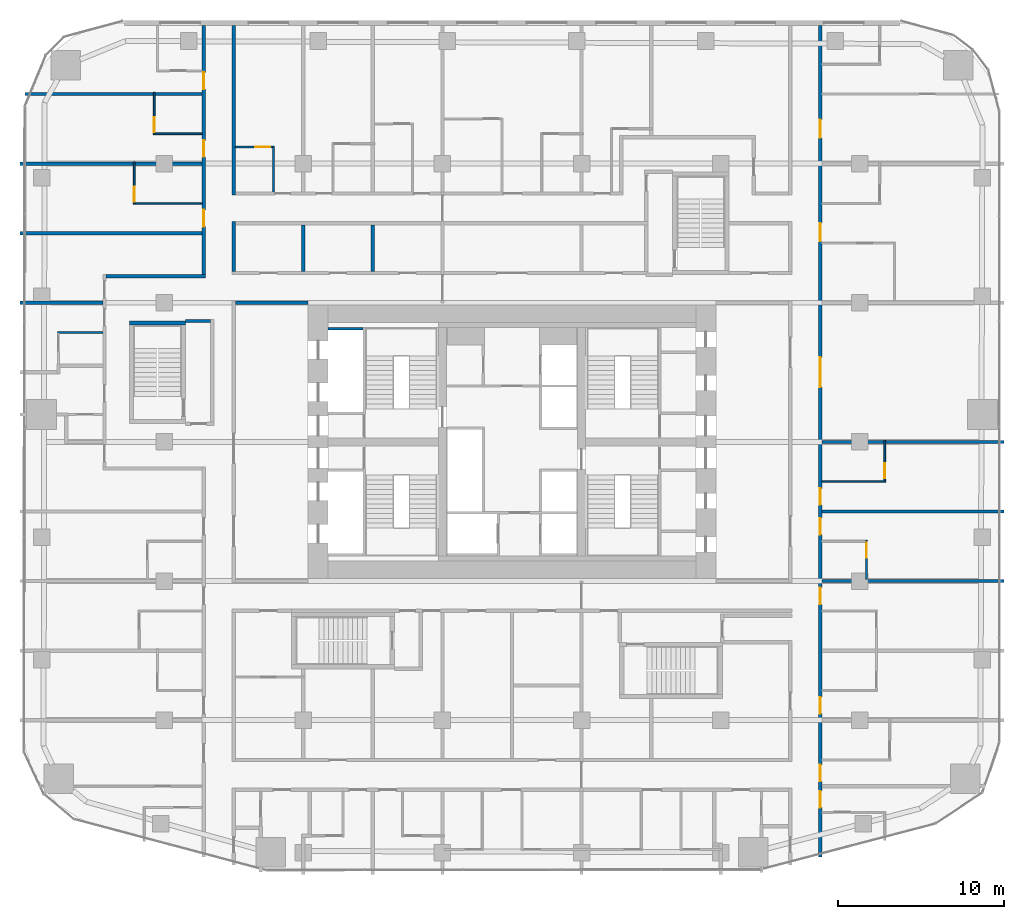
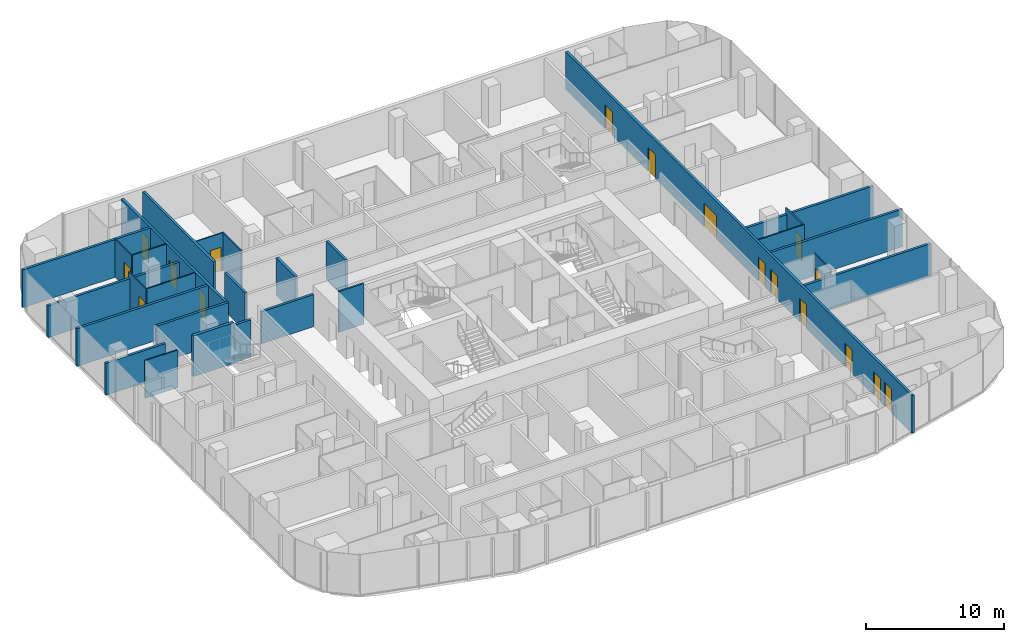
# One storey, part 21 of 26: 28 walls, 17 doors, 17 openings.
"""IFC4 building model written with IfcOpenShell, lengths in metres."""

from ifc_helpers import new_model, si_unit, direction, frame, frame_2d, origin, place, context, subcontext, project, spatial, rectangle, extrude, material, layer, layer_set, type_object, element, fill, save


model = new_model("IFC4")

# Units and contexts
model_context = context("Model", 3, precision=1e-05, world=origin(), true_north=direction((0.0, 1.0)))
body_context = subcontext(model_context, "Body", "Model", "MODEL_VIEW")
ifc_project = project(units=[si_unit("LENGTHUNIT", "METRE"), si_unit("AREAUNIT", "SQUARE_METRE"), si_unit("VOLUMEUNIT", "CUBIC_METRE"), si_unit("PLANEANGLEUNIT", "RADIAN"), si_unit("MASSUNIT", "GRAM", prefix="KILO")], contexts=[model_context])

# Site, building, storey
site_placement = place(None, origin())
site = spatial("IfcSite", under=ifc_project, at=site_placement, CompositionType="ELEMENT")
building_placement = place(site_placement, origin())
building = spatial("IfcBuilding", under=site, at=building_placement, Name="Marenta Gate Hotel Tower", CompositionType="ELEMENT")
storey_placement = place(building_placement, frame((0.0, 0.0, 58.10009765625)))
storey = spatial("IfcBuildingStorey", under=building, at=storey_placement, Name="L12", CompositionType="ELEMENT", Elevation=58.10009765625)

# Walls
ifc_material_1 = material(Name="Concrete blockwork", Category="masonry")
ifc_layer_1 = layer(ifc_material_1, 0.199951171875)
ifc_layer_set_1 = layer_set([ifc_layer_1], Name="Concrete blockwork")
wall_type_1 = type_object("IfcWallType", Name="Core boundary wall 200 REI 180", PredefinedType="PARTITIONING", material=ifc_layer_set_1)
wall_1_placement = place(storey_placement, frame((-16.699951171875, 16.800048828125, 0.0), z_axis=(0.0, 0.0, 1.0), x_axis=(1.0, 0.0, 0.0)))
element("IfcWall", 1, at=wall_1_placement, inside=storey, type_object=wall_type_1, Name="L12-CP-EW-WN", PredefinedType="PARTITIONING", context=body_context, shape_type="SweptSolid", body=[
    extrude(rectangle(XDim=4.39990234375, YDim=0.199951171875, at=frame_2d((2.199951171875, 0.0))), origin(), (0.0, 0.0, 1.0), 2.83984375),
])
ifc_material_2 = material(Name="Concrete C40", Category="concrete")
ifc_layer_2 = layer(ifc_material_2, 0.14990234375)
ifc_layer_set_2 = layer_set([ifc_layer_2], Name="Concrete C40")
wall_type_2 = type_object("IfcWallType", Name="Core shaft wall 150 REI 180", PredefinedType="SHEAR", material=ifc_layer_set_2)
wall_2_placement = place(storey_placement, frame((-11.10009765625, 15.22509765625, 0.0), z_axis=(0.0, 0.0, 1.0), x_axis=(1.0, 0.0, 0.0)))
element("IfcWall", 2, at=wall_2_placement, inside=storey, type_object=wall_type_2, Name="L12-SHF-SW-WN-5", PredefinedType="SHEAR", context=body_context, shape_type="SweptSolid", body=[
    extrude(rectangle(XDim=2.10009765625, YDim=0.14990234375, at=frame_2d((1.050048828125, 0.0))), origin(), (0.0, 0.0, 1.0), 3.599853515625),
])
ifc_material_3 = material(Name="Concrete C40", Category="concrete")
ifc_layer_3 = layer(ifc_material_3, 0.25)
ifc_layer_set_3 = layer_set([ifc_layer_3], Name="Concrete C40")
wall_type_3 = type_object("IfcWallType", Name="Remote stair enclosure wall 250 REI 180", PredefinedType="SHEAR", material=ifc_layer_set_3)
wall_3_placement = place(storey_placement, frame((-23.10009765625, 15.574951171875, 0.099853515625), z_axis=(0.0, 0.0, 1.0), x_axis=(1.0, 0.0, 0.0)))
element("IfcWall", 3, at=wall_3_placement, inside=storey, type_object=wall_type_3, Name="L12-RS-Z1-3-W2", PredefinedType="SHEAR", context=body_context, shape_type="SweptSolid", body=[
    extrude(rectangle(XDim=3.400146484375, YDim=0.25, at=frame_2d((1.7001953125, 0.0))), origin(), (0.0, 0.0, 1.0), 3.60009765625),
])
ifc_material_4 = material(Name="Concrete blockwork", Category="masonry")
ifc_layer_4 = layer(ifc_material_4, 0.199951171875)
ifc_layer_set_4 = layer_set([ifc_layer_4], Name="Concrete blockwork")
wall_type_4 = type_object("IfcWallType", Name="Room corridor wall 200 EI 120", PredefinedType="PARTITIONING", material=ifc_layer_set_4)
wall_4_placement = place(storey_placement, frame((-16.800048828125, 18.699951171875, 0.0), z_axis=(0.0, 0.0, 1.0), x_axis=(0.0, 1.0, 0.0)))
element("IfcWall", 4, at=wall_4_placement, inside=storey, type_object=wall_type_4, Name="L12-PTN-W111", PredefinedType="PARTITIONING", context=body_context, shape_type="SweptSolid", body=[
    extrude(rectangle(XDim=3.0, YDim=0.199951171875, at=frame_2d((1.5, 0.0))), origin(), (0.0, 0.0, 1.0), 3.33984375),
])

# Wall, openings, doors
ifc_material_5 = material(Name="Gypsum board on steel stud", Category="steel")
ifc_layer_5 = layer(ifc_material_5, 0.199951171875)
ifc_layer_set_5 = layer_set([ifc_layer_5], Name="Gypsum board on steel stud")
wall_type_5 = type_object("IfcWallType", Name="Room corridor wall 200 EI 60", PredefinedType="PARTITIONING", material=ifc_layer_set_5)
wall_5_placement = place(storey_placement, frame((18.60009765625, -16.6650390625, 0.0), z_axis=(0.0, 0.0, 1.0), x_axis=(0.0, 1.0, 0.0)))
wall_5 = element("IfcWall", 5, at=wall_5_placement, inside=storey, type_object=wall_type_5, Name="L12-PTN-W009", PredefinedType="PARTITIONING", context=body_context, shape_type="SweptSolid", body=[
    extrude(rectangle(XDim=50.205078125, YDim=0.199951171875, at=frame_2d((25.1025390625, 0.0))), origin(), (0.0, 0.0, 1.0), 3.33984375),
])
opening_1_placement = place(wall_5_placement, frame((2.990966796875, 0.0, 0.0)))
opening_1 = element("IfcOpeningElement", 6, at=opening_1_placement, cuts=wall_5, Name="Opening G04-10", PredefinedType="OPENING", context=body_context, shape_type="SweptSolid", body=[
    extrude(rectangle(XDim=1.0, YDim=2.10009765625, at=frame_2d((0.5, 1.050048828125))), frame((0.0, 0.10009765625, 0.0), z_axis=(0.0, -1.0, 0.0), x_axis=(1.0, 0.0, 0.0)), (0.0, 0.0, 1.0), 0.199951171875),
])
opening_2_placement = place(wall_5_placement, frame((4.573974609375, 0.0, 0.0)))
opening_2 = element("IfcOpeningElement", 7, at=opening_2_placement, cuts=wall_5, Name="Opening G04-12", PredefinedType="OPENING", context=body_context, shape_type="SweptSolid", body=[
    extrude(rectangle(XDim=1.0, YDim=2.10009765625, at=frame_2d((0.5, 1.050048828125))), frame((0.0, 0.10009765625, 0.0), z_axis=(0.0, -1.0, 0.0), x_axis=(1.0, 0.0, 0.0)), (0.0, 0.0, 1.0), 0.199951171875),
])
opening_3_placement = place(wall_5_placement, frame((8.6650390625, 0.0, 0.0)))
opening_3 = element("IfcOpeningElement", 8, at=opening_3_placement, cuts=wall_5, Name="Opening G04-14", PredefinedType="OPENING", context=body_context, shape_type="SweptSolid", body=[
    extrude(rectangle(XDim=1.0, YDim=2.10009765625, at=frame_2d((0.5, 1.050048828125))), frame((0.0, 0.10009765625, 0.0), z_axis=(0.0, -1.0, 0.0), x_axis=(1.0, 0.0, 0.0)), (0.0, 0.0, 1.0), 0.199951171875),
])
opening_4_placement = place(wall_5_placement, frame((15.264892578125, 0.0, 0.0)))
opening_4 = element("IfcOpeningElement", 9, at=opening_4_placement, cuts=wall_5, Name="Opening G04-16", PredefinedType="OPENING", context=body_context, shape_type="SweptSolid", body=[
    extrude(rectangle(XDim=1.0, YDim=2.10009765625, at=frame_2d((0.5, 1.050048828125))), frame((0.0, 0.10009765625, 0.0), z_axis=(0.0, -1.0, 0.0), x_axis=(1.0, 0.0, 0.0)), (0.0, 0.0, 1.0), 0.199951171875),
])
opening_5_placement = place(wall_5_placement, frame((19.465087890625, 0.0, 0.0)))
opening_5 = element("IfcOpeningElement", 10, at=opening_5_placement, cuts=wall_5, Name="Opening G04-18", PredefinedType="OPENING", context=body_context, shape_type="SweptSolid", body=[
    extrude(rectangle(XDim=1.0, YDim=2.10009765625, at=frame_2d((0.5, 1.050048828125))), frame((0.0, 0.10009765625, 0.0), z_axis=(0.0, -1.0, 0.0), x_axis=(1.0, 0.0, 0.0)), (0.0, 0.0, 1.0), 0.199951171875),
])
opening_6_placement = place(wall_5_placement, frame((21.264892578125, 0.0, 0.0)))
opening_6 = element("IfcOpeningElement", 11, at=opening_6_placement, cuts=wall_5, Name="Opening G04-20", PredefinedType="OPENING", context=body_context, shape_type="SweptSolid", body=[
    extrude(rectangle(XDim=1.0, YDim=2.10009765625, at=frame_2d((0.5, 1.050048828125))), frame((0.0, 0.10009765625, 0.0), z_axis=(0.0, -1.0, 0.0), x_axis=(1.0, 0.0, 0.0)), (0.0, 0.0, 1.0), 0.199951171875),
])
opening_7_placement = place(wall_5_placement, frame((28.364990234375, 0.0, 0.0)))
opening_7 = element("IfcOpeningElement", 12, at=opening_7_placement, cuts=wall_5, Name="Opening G04-22", PredefinedType="OPENING", context=body_context, shape_type="SweptSolid", body=[
    extrude(rectangle(XDim=1.800048828125, YDim=2.10009765625, at=frame_2d((0.89990234375, 1.050048828125))), frame((0.0, 0.10009765625, 0.0), z_axis=(0.0, -1.0, 0.0), x_axis=(1.0, 0.0, 0.0)), (0.0, 0.0, 1.0), 0.199951171875),
])
opening_8_placement = place(wall_5_placement, frame((37.1650390625, 0.0, 0.0)))
opening_8 = element("IfcOpeningElement", 13, at=opening_8_placement, cuts=wall_5, Name="Opening G04-23", PredefinedType="OPENING", context=body_context, shape_type="SweptSolid", body=[
    extrude(rectangle(XDim=1.10009765625, YDim=2.10009765625, at=frame_2d((0.550048828125, 1.050048828125))), frame((0.0, 0.10009765625, 0.0), z_axis=(0.0, -1.0, 0.0), x_axis=(1.0, 0.0, 0.0)), (0.0, 0.0, 1.0), 0.199951171875),
])
opening_9_placement = place(wall_5_placement, frame((43.4150390625, 0.0, 0.0)))
opening_9 = element("IfcOpeningElement", 14, at=opening_9_placement, cuts=wall_5, Name="Opening G04-26", PredefinedType="OPENING", context=body_context, shape_type="SweptSolid", body=[
    extrude(rectangle(XDim=1.10009765625, YDim=2.10009765625, at=frame_2d((0.550048828125, 1.050048828125))), frame((0.0, 0.10009765625, 0.0), z_axis=(0.0, -1.0, 0.0), x_axis=(1.0, 0.0, 0.0)), (0.0, 0.0, 1.0), 0.199951171875),
])
ifc_material_6 = material(Name="Timber door leaf", Category="wood")
door_type_1 = type_object("IfcDoorType", Name="Guest room door 1000x2100 EI 30", OperationType="NOTDEFINED", PredefinedType="DOOR", material=ifc_material_6)
door_1_placement = place(opening_1_placement, origin())
door_1 = element("IfcDoor", 15, at=door_1_placement, inside=storey, type_object=door_type_1, Name="L12-PD-D010", OperationType="SINGLE_SWING_RIGHT", OverallHeight=2.10009765625, OverallWidth=1.0, PredefinedType="DOOR", context=body_context, shape_type="SweptSolid", body=[
    extrude(rectangle(XDim=1.0, YDim=2.10009765625, at=frame_2d((0.5, 1.050048828125))), frame((0.0, 0.02490234375, 0.0), z_axis=(0.0, -1.0, 0.0), x_axis=(1.0, 0.0, 0.0)), (0.0, 0.0, 1.0), 0.050048828125),
])
fill(opening_1, door_1)
door_2_placement = place(opening_2_placement, origin())
door_2 = element("IfcDoor", 16, at=door_2_placement, inside=storey, type_object=door_type_1, Name="L12-PD-D012", OperationType="SINGLE_SWING_RIGHT", OverallHeight=2.10009765625, OverallWidth=1.0, PredefinedType="DOOR", context=body_context, shape_type="SweptSolid", body=[
    extrude(rectangle(XDim=1.0, YDim=2.10009765625, at=frame_2d((0.5, 1.050048828125))), frame((0.0, 0.02490234375, 0.0), z_axis=(0.0, -1.0, 0.0), x_axis=(1.0, 0.0, 0.0)), (0.0, 0.0, 1.0), 0.050048828125),
])
fill(opening_2, door_2)
door_3_placement = place(opening_3_placement, origin())
door_3 = element("IfcDoor", 17, at=door_3_placement, inside=storey, type_object=door_type_1, Name="L12-PD-D014", OperationType="SINGLE_SWING_RIGHT", OverallHeight=2.10009765625, OverallWidth=1.0, PredefinedType="DOOR", context=body_context, shape_type="SweptSolid", body=[
    extrude(rectangle(XDim=1.0, YDim=2.10009765625, at=frame_2d((0.5, 1.050048828125))), frame((0.0, 0.02490234375, 0.0), z_axis=(0.0, -1.0, 0.0), x_axis=(1.0, 0.0, 0.0)), (0.0, 0.0, 1.0), 0.050048828125),
])
fill(opening_3, door_3)
door_4_placement = place(opening_4_placement, origin())
door_4 = element("IfcDoor", 18, at=door_4_placement, inside=storey, type_object=door_type_1, Name="L12-PD-D016", OperationType="SINGLE_SWING_RIGHT", OverallHeight=2.10009765625, OverallWidth=1.0, PredefinedType="DOOR", context=body_context, shape_type="SweptSolid", body=[
    extrude(rectangle(XDim=1.0, YDim=2.10009765625, at=frame_2d((0.5, 1.050048828125))), frame((0.0, 0.02490234375, 0.0), z_axis=(0.0, -1.0, 0.0), x_axis=(1.0, 0.0, 0.0)), (0.0, 0.0, 1.0), 0.050048828125),
])
fill(opening_4, door_4)
door_5_placement = place(opening_5_placement, origin())
door_5 = element("IfcDoor", 19, at=door_5_placement, inside=storey, type_object=door_type_1, Name="L12-PD-D018", OperationType="SINGLE_SWING_RIGHT", OverallHeight=2.10009765625, OverallWidth=1.0, PredefinedType="DOOR", context=body_context, shape_type="SweptSolid", body=[
    extrude(rectangle(XDim=1.0, YDim=2.10009765625, at=frame_2d((0.5, 1.050048828125))), frame((0.0, 0.02490234375, 0.0), z_axis=(0.0, -1.0, 0.0), x_axis=(1.0, 0.0, 0.0)), (0.0, 0.0, 1.0), 0.050048828125),
])
fill(opening_5, door_5)
door_6_placement = place(opening_6_placement, origin())
door_6 = element("IfcDoor", 20, at=door_6_placement, inside=storey, type_object=door_type_1, Name="L12-PD-D020", OperationType="SINGLE_SWING_RIGHT", OverallHeight=2.10009765625, OverallWidth=1.0, PredefinedType="DOOR", context=body_context, shape_type="SweptSolid", body=[
    extrude(rectangle(XDim=1.0, YDim=2.10009765625, at=frame_2d((0.5, 1.050048828125))), frame((0.0, 0.02490234375, 0.0), z_axis=(0.0, -1.0, 0.0), x_axis=(1.0, 0.0, 0.0)), (0.0, 0.0, 1.0), 0.050048828125),
])
fill(opening_6, door_6)
ifc_material_7 = material(Name="Timber door leaf", Category="wood")
door_type_2 = type_object("IfcDoorType", Name="Guest room door 1100x2100 EI 30", OperationType="NOTDEFINED", PredefinedType="DOOR", material=ifc_material_7)
door_7_placement = place(opening_8_placement, origin())
door_7 = element("IfcDoor", 21, at=door_7_placement, inside=storey, type_object=door_type_2, Name="L12-PD-D023", OperationType="SINGLE_SWING_RIGHT", OverallHeight=2.10009765625, OverallWidth=1.10009765625, PredefinedType="DOOR", context=body_context, shape_type="SweptSolid", body=[
    extrude(rectangle(XDim=1.10009765625, YDim=2.10009765625, at=frame_2d((0.550048828125, 1.050048828125))), frame((0.0, 0.02490234375, 0.0), z_axis=(0.0, -1.0, 0.0), x_axis=(1.0, 0.0, 0.0)), (0.0, 0.0, 1.0), 0.050048828125),
])
fill(opening_8, door_7)
door_8_placement = place(opening_9_placement, origin())
door_8 = element("IfcDoor", 22, at=door_8_placement, inside=storey, type_object=door_type_2, Name="L12-PD-D026", OperationType="SINGLE_SWING_RIGHT", OverallHeight=2.10009765625, OverallWidth=1.10009765625, PredefinedType="DOOR", context=body_context, shape_type="SweptSolid", body=[
    extrude(rectangle(XDim=1.10009765625, YDim=2.10009765625, at=frame_2d((0.550048828125, 1.050048828125))), frame((0.0, 0.02490234375, 0.0), z_axis=(0.0, -1.0, 0.0), x_axis=(1.0, 0.0, 0.0)), (0.0, 0.0, 1.0), 0.050048828125),
])
fill(opening_9, door_8)
ifc_material_8 = material(Name="Timber door leaf", Category="wood")
door_type_3 = type_object("IfcDoorType", Name="Room amenity door 1800x2100 EI 30", OperationType="DOUBLE_DOOR_SINGLE_SWING", PredefinedType="DOOR", material=ifc_material_8)
door_9_placement = place(opening_7_placement, origin())
door_9 = element("IfcDoor", 23, at=door_9_placement, inside=storey, type_object=door_type_3, Name="L12-PD-D022", OperationType="DOUBLE_DOOR_SINGLE_SWING", OverallHeight=2.10009765625, OverallWidth=1.800048828125, PredefinedType="DOOR", context=body_context, shape_type="SweptSolid", body=[
    extrude(rectangle(XDim=1.800048828125, YDim=2.10009765625, at=frame_2d((0.89990234375, 1.050048828125))), frame((0.0, 0.02490234375, 0.0), z_axis=(0.0, -1.0, 0.0), x_axis=(1.0, 0.0, 0.0)), (0.0, 0.0, 1.0), 0.050048828125),
])
fill(opening_7, door_9)

# Walls
wall_6_placement = place(storey_placement, frame((-16.800048828125, 23.300048828125, 0.0), z_axis=(0.0, 0.0, 1.0), x_axis=(0.0, 1.0, 0.0)))
element("IfcWall", 24, at=wall_6_placement, inside=storey, type_object=wall_type_5, Name="L12-PTN-W112", PredefinedType="PARTITIONING", context=body_context, shape_type="SweptSolid", body=[
    extrude(rectangle(XDim=10.239990234375, YDim=0.199951171875, at=frame_2d((5.1201171875, 0.0))), origin(), (0.0, 0.0, 1.0), 3.33984375),
])
wall_7_placement = place(storey_placement, frame((-24.5, 18.39990234375, 0.0), z_axis=(0.0, 0.0, 1.0), x_axis=(1.0, 0.0, 0.0)))
element("IfcWall", 25, at=wall_7_placement, inside=storey, type_object=wall_type_5, Name="L12-PTN-W116", PredefinedType="PARTITIONING", context=body_context, shape_type="SweptSolid", body=[
    extrude(rectangle(XDim=6.0, YDim=0.199951171875, at=frame_2d((3.0, 0.0))), origin(), (0.0, 0.0, 1.0), 3.33984375),
])

# Wall, openings, doors
wall_8_placement = place(storey_placement, frame((-18.60009765625, 18.5, 0.0), z_axis=(0.0, 0.0, 1.0), x_axis=(0.0, 1.0, 0.0)))
wall_8 = element("IfcWall", 26, at=wall_8_placement, inside=storey, type_object=wall_type_5, Name="L12-PTN-W119", PredefinedType="PARTITIONING", context=body_context, shape_type="SweptSolid", body=[
    extrude(rectangle(XDim=15.0400390625, YDim=0.199951171875, at=frame_2d((7.52001953125, 0.0))), origin(), (0.0, 0.0, 1.0), 3.33984375),
])
opening_10_placement = place(wall_8_placement, frame((2.89990234375, 0.0, 0.0)))
opening_10 = element("IfcOpeningElement", 27, at=opening_10_placement, cuts=wall_8, Name="Opening G04-61", PredefinedType="OPENING", context=body_context, shape_type="SweptSolid", body=[
    extrude(rectangle(XDim=1.0, YDim=2.10009765625, at=frame_2d((0.5, 1.050048828125))), frame((0.0, 0.10009765625, 0.0), z_axis=(0.0, -1.0, 0.0), x_axis=(1.0, 0.0, 0.0)), (0.0, 0.0, 1.0), 0.199951171875),
])
opening_11_placement = place(wall_8_placement, frame((7.10009765625, 0.0, 0.0)))
opening_11 = element("IfcOpeningElement", 28, at=opening_11_placement, cuts=wall_8, Name="Opening G04-63", PredefinedType="OPENING", context=body_context, shape_type="SweptSolid", body=[
    extrude(rectangle(XDim=1.0, YDim=2.10009765625, at=frame_2d((0.5, 1.050048828125))), frame((0.0, 0.10009765625, 0.0), z_axis=(0.0, -1.0, 0.0), x_axis=(1.0, 0.0, 0.0)), (0.0, 0.0, 1.0), 0.199951171875),
])
opening_12_placement = place(wall_8_placement, frame((11.199951171875, 0.0, 0.0)))
opening_12 = element("IfcOpeningElement", 29, at=opening_12_placement, cuts=wall_8, Name="Opening G04-65", PredefinedType="OPENING", context=body_context, shape_type="SweptSolid", body=[
    extrude(rectangle(XDim=1.0, YDim=2.10009765625, at=frame_2d((0.5, 1.050048828125))), frame((0.0, 0.10009765625, 0.0), z_axis=(0.0, -1.0, 0.0), x_axis=(1.0, 0.0, 0.0)), (0.0, 0.0, 1.0), 0.199951171875),
])
door_10_placement = place(opening_10_placement, origin())
door_10 = element("IfcDoor", 30, at=door_10_placement, inside=storey, type_object=door_type_1, Name="L12-PD-D061", OperationType="SINGLE_SWING_RIGHT", OverallHeight=2.10009765625, OverallWidth=1.0, PredefinedType="DOOR", context=body_context, shape_type="SweptSolid", body=[
    extrude(rectangle(XDim=1.0, YDim=2.10009765625, at=frame_2d((0.5, 1.050048828125))), frame((0.0, 0.02490234375, 0.0), z_axis=(0.0, -1.0, 0.0), x_axis=(1.0, 0.0, 0.0)), (0.0, 0.0, 1.0), 0.050048828125),
])
fill(opening_10, door_10)
door_11_placement = place(opening_11_placement, origin())
door_11 = element("IfcDoor", 31, at=door_11_placement, inside=storey, type_object=door_type_1, Name="L12-PD-D063", OperationType="SINGLE_SWING_RIGHT", OverallHeight=2.10009765625, OverallWidth=1.0, PredefinedType="DOOR", context=body_context, shape_type="SweptSolid", body=[
    extrude(rectangle(XDim=1.0, YDim=2.10009765625, at=frame_2d((0.5, 1.050048828125))), frame((0.0, 0.02490234375, 0.0), z_axis=(0.0, -1.0, 0.0), x_axis=(1.0, 0.0, 0.0)), (0.0, 0.0, 1.0), 0.050048828125),
])
fill(opening_11, door_11)
door_12_placement = place(opening_12_placement, origin())
door_12 = element("IfcDoor", 32, at=door_12_placement, inside=storey, type_object=door_type_1, Name="L12-PD-D065", OperationType="SINGLE_SWING_RIGHT", OverallHeight=2.10009765625, OverallWidth=1.0, PredefinedType="DOOR", context=body_context, shape_type="SweptSolid", body=[
    extrude(rectangle(XDim=1.0, YDim=2.10009765625, at=frame_2d((0.5, 1.050048828125))), frame((0.0, 0.02490234375, 0.0), z_axis=(0.0, -1.0, 0.0), x_axis=(1.0, 0.0, 0.0)), (0.0, 0.0, 1.0), 0.050048828125),
])
fill(opening_12, door_12)

# Wall
ifc_material_9 = material(Name="Concrete blockwork", Category="masonry")
ifc_layer_6 = layer(ifc_material_9, 0.199951171875)
ifc_layer_set_6 = layer_set([ifc_layer_6], Name="Concrete blockwork")
wall_type_6 = type_object("IfcWallType", Name="Room corridor wall 200 REI 180", PredefinedType="PARTITIONING", material=ifc_layer_set_6)
wall_9_placement = place(storey_placement, frame((-19.699951171875, 15.699951171875, 0.0), z_axis=(0.0, 0.0, 1.0), x_axis=(1.0, 0.0, 0.0)))
element("IfcWall", 33, at=wall_9_placement, inside=storey, type_object=wall_type_6, Name="L12-PTN-W108", PredefinedType="PARTITIONING", context=body_context, shape_type="SweptSolid", body=[
    extrude(rectangle(XDim=1.5, YDim=0.199951171875, at=frame_2d((0.75, 0.0))), origin(), (0.0, 0.0, 1.0), 3.33984375),
])

# Wall, opening, door
ifc_material_10 = material(Name="Gypsum board on steel stud", Category="steel")
ifc_layer_7 = layer(ifc_material_10, 0.10009765625)
ifc_layer_set_7 = layer_set([ifc_layer_7], Name="Gypsum board on steel stud")
wall_type_7 = type_object("IfcWallType", Name="Room partition 100", PredefinedType="PARTITIONING", material=ifc_layer_set_7)
wall_10_placement = place(storey_placement, frame((22.5, 6.050048828125, 0.0), z_axis=(0.0, 0.0, 1.0), x_axis=(0.0, 1.0, 0.0)))
wall_10 = element("IfcWall", 34, at=wall_10_placement, inside=storey, type_object=wall_type_7, Name="L12-PTN-W004", PredefinedType="PARTITIONING", context=body_context, shape_type="SweptSolid", body=[
    extrude(rectangle(XDim=2.449951171875, YDim=0.10009765625, at=frame_2d((1.22509765625, 0.0))), origin(), (0.0, 0.0, 1.0), 3.33984375),
])
opening_13_placement = place(wall_10_placement, frame((0.14990234375, 0.0, 0.0)))
opening_13 = element("IfcOpeningElement", 35, at=opening_13_placement, cuts=wall_10, Name="Opening G04-21", PredefinedType="OPENING", context=body_context, shape_type="SweptSolid", body=[
    extrude(rectangle(XDim=0.89990234375, YDim=2.10009765625, at=frame_2d((0.449951171875, 1.050048828125))), frame((0.0, 0.050048828125, 0.0), z_axis=(0.0, -1.0, 0.0), x_axis=(1.0, 0.0, 0.0)), (0.0, 0.0, 1.0), 0.10009765625),
])
ifc_material_11 = material(Name="Timber door leaf", Category="wood")
door_type_4 = type_object("IfcDoorType", Name="Guest bathroom door 900x2100", OperationType="NOTDEFINED", PredefinedType="DOOR", material=ifc_material_11)
door_13_placement = place(opening_13_placement, origin())
door_13 = element("IfcDoor", 36, at=door_13_placement, inside=storey, type_object=door_type_4, Name="L12-PD-D021", OperationType="SINGLE_SWING_LEFT", OverallHeight=2.10009765625, OverallWidth=0.89990234375, PredefinedType="DOOR", context=body_context, shape_type="SweptSolid", body=[
    extrude(rectangle(XDim=0.89990234375, YDim=2.10009765625, at=frame_2d((0.449951171875, 1.050048828125))), frame((0.0, 0.02490234375, 0.0), z_axis=(0.0, -1.0, 0.0), x_axis=(1.0, 0.0, 0.0)), (0.0, 0.0, 1.0), 0.050048828125),
])
fill(opening_13, door_13)

wall_11_placement = place(storey_placement, frame((21.39990234375, 0.10009765625, 0.0), z_axis=(0.0, 0.0, 1.0), x_axis=(0.0, 1.0, 0.0)))
wall_11 = element("IfcWall", 37, at=wall_11_placement, inside=storey, type_object=wall_type_7, Name="L12-PTN-W008", PredefinedType="PARTITIONING", context=body_context, shape_type="SweptSolid", body=[
    extrude(rectangle(XDim=2.349853515625, YDim=0.10009765625, at=frame_2d((1.1748046875, 0.0))), origin(), (0.0, 0.0, 1.0), 3.33984375),
])
opening_14_placement = place(wall_11_placement, frame((1.300048828125, 0.0, 0.0)))
opening_14 = element("IfcOpeningElement", 38, at=opening_14_placement, cuts=wall_11, Name="Opening G04-19", PredefinedType="OPENING", context=body_context, shape_type="SweptSolid", body=[
    extrude(rectangle(XDim=0.89990234375, YDim=2.10009765625, at=frame_2d((0.449951171875, 1.050048828125))), frame((0.0, 0.050048828125, 0.0), z_axis=(0.0, -1.0, 0.0), x_axis=(1.0, 0.0, 0.0)), (0.0, 0.0, 1.0), 0.10009765625),
])
door_14_placement = place(opening_14_placement, origin())
door_14 = element("IfcDoor", 39, at=door_14_placement, inside=storey, type_object=door_type_4, Name="L12-PD-D019", OperationType="SINGLE_SWING_RIGHT", OverallHeight=2.10009765625, OverallWidth=0.89990234375, PredefinedType="DOOR", context=body_context, shape_type="SweptSolid", body=[
    extrude(rectangle(XDim=0.89990234375, YDim=2.10009765625, at=frame_2d((0.449951171875, 1.050048828125))), frame((0.0, 0.02490234375, 0.0), z_axis=(0.0, -1.0, 0.0), x_axis=(1.0, 0.0, 0.0)), (0.0, 0.0, 1.0), 0.050048828125),
])
fill(opening_14, door_14)

# Walls
wall_12_placement = place(storey_placement, frame((18.699951171875, 6.0, 0.0), z_axis=(0.0, 0.0, 1.0), x_axis=(1.0, 0.0, 0.0)))
element("IfcWall", 40, at=wall_12_placement, inside=storey, type_object=wall_type_7, Name="L12-PTN-W083", PredefinedType="PARTITIONING", context=body_context, shape_type="SweptSolid", body=[
    extrude(rectangle(XDim=3.85009765625, YDim=0.10009765625, at=frame_2d((1.925048828125, 0.0))), origin(), (0.0, 0.0, 1.0), 3.33984375),
])
wall_13_placement = place(storey_placement, frame((-14.39990234375, 23.5, 0.0), z_axis=(0.0, 0.0, 1.0), x_axis=(0.0, 1.0, 0.0)))
element("IfcWall", 41, at=wall_13_placement, inside=storey, type_object=wall_type_7, Name="L12-PTN-W104", PredefinedType="PARTITIONING", context=body_context, shape_type="SweptSolid", body=[
    extrude(rectangle(XDim=2.75, YDim=0.10009765625, at=frame_2d((1.375, 0.0))), origin(), (0.0, 0.0, 1.0), 3.33984375),
])
wall_14_placement = place(storey_placement, frame((-27.425048828125, 15.0, 0.0), z_axis=(0.0, 0.0, 1.0), x_axis=(1.0, 0.0, 0.0)))
element("IfcWall", 42, at=wall_14_placement, inside=storey, type_object=wall_type_7, Name="L12-PTN-W105", PredefinedType="PARTITIONING", context=body_context, shape_type="SweptSolid", body=[
    extrude(rectangle(XDim=2.72509765625, YDim=0.10009765625, at=frame_2d((1.362548828125, 0.0))), origin(), (0.0, 0.0, 1.0), 3.33984375),
])

# Wall, opening, door
wall_15_placement = place(storey_placement, frame((-21.60009765625, 26.949951171875, 0.0), z_axis=(0.0, 0.0, 1.0), x_axis=(0.0, 1.0, 0.0)))
wall_15 = element("IfcWall", 43, at=wall_15_placement, inside=storey, type_object=wall_type_7, Name="L12-PTN-W126", PredefinedType="PARTITIONING", context=body_context, shape_type="SweptSolid", body=[
    extrude(rectangle(XDim=2.550048828125, YDim=0.10009765625, at=frame_2d((1.27490234375, 0.0))), origin(), (0.0, 0.0, 1.0), 3.33984375),
])
opening_15_placement = place(wall_15_placement, frame((0.14990234375, 0.0, 0.0)))
opening_15 = element("IfcOpeningElement", 44, at=opening_15_placement, cuts=wall_15, Name="Opening G04-64", PredefinedType="OPENING", context=body_context, shape_type="SweptSolid", body=[
    extrude(rectangle(XDim=0.89990234375, YDim=2.10009765625, at=frame_2d((0.449951171875, 1.050048828125))), frame((0.0, 0.050048828125, 0.0), z_axis=(0.0, -1.0, 0.0), x_axis=(1.0, 0.0, 0.0)), (0.0, 0.0, 1.0), 0.10009765625),
])
door_15_placement = place(opening_15_placement, origin())
door_15 = element("IfcDoor", 45, at=door_15_placement, inside=storey, type_object=door_type_4, Name="L12-PD-D064", OperationType="SINGLE_SWING_RIGHT", OverallHeight=2.10009765625, OverallWidth=0.89990234375, PredefinedType="DOOR", context=body_context, shape_type="SweptSolid", body=[
    extrude(rectangle(XDim=0.89990234375, YDim=2.10009765625, at=frame_2d((0.449951171875, 1.050048828125))), frame((0.0, 0.02490234375, 0.0), z_axis=(0.0, -1.0, 0.0), x_axis=(1.0, 0.0, 0.0)), (0.0, 0.0, 1.0), 0.050048828125),
])
fill(opening_15, door_15)

wall_16_placement = place(storey_placement, frame((-22.800048828125, 22.75, 0.0), z_axis=(0.0, 0.0, 1.0), x_axis=(0.0, 1.0, 0.0)))
wall_16 = element("IfcWall", 46, at=wall_16_placement, inside=storey, type_object=wall_type_7, Name="L12-PTN-W132", PredefinedType="PARTITIONING", context=body_context, shape_type="SweptSolid", body=[
    extrude(rectangle(XDim=2.550048828125, YDim=0.10009765625, at=frame_2d((1.27490234375, 0.0))), origin(), (0.0, 0.0, 1.0), 3.33984375),
])
opening_16_placement = place(wall_16_placement, frame((0.14990234375, 0.0, 0.0)))
opening_16 = element("IfcOpeningElement", 47, at=opening_16_placement, cuts=wall_16, Name="Opening G04-62", PredefinedType="OPENING", context=body_context, shape_type="SweptSolid", body=[
    extrude(rectangle(XDim=0.89990234375, YDim=2.10009765625, at=frame_2d((0.449951171875, 1.050048828125))), frame((0.0, 0.050048828125, 0.0), z_axis=(0.0, -1.0, 0.0), x_axis=(1.0, 0.0, 0.0)), (0.0, 0.0, 1.0), 0.10009765625),
])
door_16_placement = place(opening_16_placement, origin())
door_16 = element("IfcDoor", 48, at=door_16_placement, inside=storey, type_object=door_type_4, Name="L12-PD-D062", OperationType="SINGLE_SWING_RIGHT", OverallHeight=2.10009765625, OverallWidth=0.89990234375, PredefinedType="DOOR", context=body_context, shape_type="SweptSolid", body=[
    extrude(rectangle(XDim=0.89990234375, YDim=2.10009765625, at=frame_2d((0.449951171875, 1.050048828125))), frame((0.0, 0.02490234375, 0.0), z_axis=(0.0, -1.0, 0.0), x_axis=(1.0, 0.0, 0.0)), (0.0, 0.0, 1.0), 0.050048828125),
])
fill(opening_16, door_16)

# Wall
wall_17_placement = place(storey_placement, frame((-22.75, 22.800048828125, 0.0), z_axis=(0.0, 0.0, 1.0), x_axis=(1.0, 0.0, 0.0)))
element("IfcWall", 49, at=wall_17_placement, inside=storey, type_object=wall_type_7, Name="L12-PTN-W133", PredefinedType="PARTITIONING", context=body_context, shape_type="SweptSolid", body=[
    extrude(rectangle(XDim=4.050048828125, YDim=0.10009765625, at=frame_2d((2.02490234375, 0.0))), origin(), (0.0, 0.0, 1.0), 3.33984375),
])

# Wall, opening, door
wall_18_placement = place(storey_placement, frame((-16.699951171875, 26.199951171875, 0.0), z_axis=(0.0, 0.0, 1.0), x_axis=(1.0, 0.0, 0.0)))
wall_18 = element("IfcWall", 50, at=wall_18_placement, inside=storey, type_object=wall_type_7, Name="L12-PTN-W141", PredefinedType="PARTITIONING", context=body_context, shape_type="SweptSolid", body=[
    extrude(rectangle(XDim=2.25, YDim=0.10009765625, at=frame_2d((1.125, 0.0))), origin(), (0.0, 0.0, 1.0), 3.33984375),
])
opening_17_placement = place(wall_18_placement, frame((1.199951171875, 0.0, 0.0)))
opening_17 = element("IfcOpeningElement", 51, at=opening_17_placement, cuts=wall_18, Name="Opening G04-30", PredefinedType="OPENING", context=body_context, shape_type="SweptSolid", body=[
    extrude(rectangle(XDim=0.89990234375, YDim=2.10009765625, at=frame_2d((0.449951171875, 1.050048828125))), frame((0.0, 0.050048828125, 0.0), z_axis=(0.0, -1.0, 0.0), x_axis=(1.0, 0.0, 0.0)), (0.0, 0.0, 1.0), 0.10009765625),
])
door_17_placement = place(opening_17_placement, origin())
door_17 = element("IfcDoor", 52, at=door_17_placement, inside=storey, type_object=door_type_4, Name="L12-PD-D030", OperationType="SINGLE_SWING_LEFT", OverallHeight=2.10009765625, OverallWidth=0.89990234375, PredefinedType="DOOR", context=body_context, shape_type="SweptSolid", body=[
    extrude(rectangle(XDim=0.89990234375, YDim=2.10009765625, at=frame_2d((0.449951171875, 1.050048828125))), frame((0.0, 0.02490234375, 0.0), z_axis=(0.0, -1.0, 0.0), x_axis=(1.0, 0.0, 0.0)), (0.0, 0.0, 1.0), 0.050048828125),
])
fill(opening_17, door_17)

# Walls
wall_19_placement = place(storey_placement, frame((-21.550048828125, 27.0, 0.0), z_axis=(0.0, 0.0, 1.0), x_axis=(1.0, 0.0, 0.0)))
element("IfcWall", 53, at=wall_19_placement, inside=storey, type_object=wall_type_7, Name="L12-PTN-W145", PredefinedType="PARTITIONING", context=body_context, shape_type="SweptSolid", body=[
    extrude(rectangle(XDim=2.85009765625, YDim=0.10009765625, at=frame_2d((1.425048828125, 0.0))), origin(), (0.0, 0.0, 1.0), 3.33984375),
])
ifc_material_12 = material(Name="Concrete blockwork", Category="masonry")
ifc_layer_8 = layer(ifc_material_12, 0.199951171875)
ifc_layer_set_8 = layer_set([ifc_layer_8], Name="Concrete blockwork")
wall_type_8 = type_object("IfcWallType", Name="Room party wall 200 EI 120", PredefinedType="PARTITIONING", material=ifc_layer_set_8)
wall_20_placement = place(storey_placement, frame((-12.60009765625, 18.699951171875, 0.0), z_axis=(0.0, 0.0, 1.0), x_axis=(0.0, 1.0, 0.0)))
element("IfcWall", 54, at=wall_20_placement, inside=storey, type_object=wall_type_8, Name="L12-PTN-W100", PredefinedType="PARTITIONING", context=body_context, shape_type="SweptSolid", body=[
    extrude(rectangle(XDim=2.800048828125, YDim=0.199951171875, at=frame_2d((1.39990234375, 0.0))), origin(), (0.0, 0.0, 1.0), 3.33984375),
])
ifc_material_13 = material(Name="Gypsum board on steel stud", Category="steel")
ifc_layer_9 = layer(ifc_material_13, 0.199951171875)
ifc_layer_set_9 = layer_set([ifc_layer_9], Name="Gypsum board on steel stud")
wall_type_9 = type_object("IfcWallType", Name="Room party wall 200 EI 60", PredefinedType="PARTITIONING", material=ifc_layer_set_9)
wall_21_placement = place(storey_placement, frame((18.699951171875, 0.0, 0.0), z_axis=(0.0, 0.0, 1.0), x_axis=(1.0, 0.0, 0.0)))
element("IfcWall", 55, at=wall_21_placement, inside=storey, type_object=wall_type_9, Name="L12-PTN-W070", PredefinedType="PARTITIONING", context=body_context, shape_type="SweptSolid", body=[
    extrude(rectangle(XDim=11.0, YDim=0.199951171875, at=frame_2d((5.5, 0.0))), origin(), (0.0, 0.0, 1.0), 2.83984375),
])
wall_22_placement = place(storey_placement, frame((18.699951171875, 4.199951171875, 0.0), z_axis=(0.0, 0.0, 1.0), x_axis=(1.0, 0.0, 0.0)))
element("IfcWall", 56, at=wall_22_placement, inside=storey, type_object=wall_type_9, Name="L12-PTN-W080", PredefinedType="PARTITIONING", context=body_context, shape_type="SweptSolid", body=[
    extrude(rectangle(XDim=11.0, YDim=0.199951171875, at=frame_2d((5.5, 0.0))), origin(), (0.0, 0.0, 1.0), 3.33984375),
])
wall_23_placement = place(storey_placement, frame((-8.39990234375, 18.699951171875, 0.0), z_axis=(0.0, 0.0, 1.0), x_axis=(0.0, 1.0, 0.0)))
element("IfcWall", 57, at=wall_23_placement, inside=storey, type_object=wall_type_9, Name="L12-PTN-W088", PredefinedType="PARTITIONING", context=body_context, shape_type="SweptSolid", body=[
    extrude(rectangle(XDim=2.800048828125, YDim=0.199951171875, at=frame_2d((1.39990234375, 0.0))), origin(), (0.0, 0.0, 1.0), 3.33984375),
])
wall_24_placement = place(storey_placement, frame((18.699951171875, 8.39990234375, 0.0), z_axis=(0.0, 0.0, 1.0), x_axis=(1.0, 0.0, 0.0)))
element("IfcWall", 58, at=wall_24_placement, inside=storey, type_object=wall_type_9, Name="L12-PTN-W091", PredefinedType="PARTITIONING", context=body_context, shape_type="SweptSolid", body=[
    extrude(rectangle(XDim=11.0, YDim=0.199951171875, at=frame_2d((5.5, 0.0))), origin(), (0.0, 0.0, 1.0), 2.83984375),
])
wall_25_placement = place(storey_placement, frame((-29.699951171875, 16.800048828125, 0.0), z_axis=(0.0, 0.0, 1.0), x_axis=(1.0, 0.0, 0.0)))
element("IfcWall", 59, at=wall_25_placement, inside=storey, type_object=wall_type_9, Name="L12-PTN-W113", PredefinedType="PARTITIONING", context=body_context, shape_type="SweptSolid", body=[
    extrude(rectangle(XDim=5.0, YDim=0.199951171875, at=frame_2d((2.5, 0.0))), origin(), (0.0, 0.0, 1.0), 2.83984375),
])
wall_26_placement = place(storey_placement, frame((-29.699951171875, 21.0, 0.0), z_axis=(0.0, 0.0, 1.0), x_axis=(1.0, 0.0, 0.0)))
element("IfcWall", 60, at=wall_26_placement, inside=storey, type_object=wall_type_9, Name="L12-PTN-W123", PredefinedType="PARTITIONING", context=body_context, shape_type="SweptSolid", body=[
    extrude(rectangle(XDim=11.0, YDim=0.199951171875, at=frame_2d((5.5, 0.0))), origin(), (0.0, 0.0, 1.0), 3.33984375),
])
wall_27_placement = place(storey_placement, frame((-29.699951171875, 25.199951171875, 0.0), z_axis=(0.0, 0.0, 1.0), x_axis=(1.0, 0.0, 0.0)))
element("IfcWall", 61, at=wall_27_placement, inside=storey, type_object=wall_type_9, Name="L12-PTN-W139", PredefinedType="PARTITIONING", context=body_context, shape_type="SweptSolid", body=[
    extrude(rectangle(XDim=11.0, YDim=0.199951171875, at=frame_2d((5.5, 0.0))), origin(), (0.0, 0.0, 1.0), 2.83984375),
])
wall_28_placement = place(storey_placement, frame((-29.39306640625, 29.39990234375, 0.0), z_axis=(0.0, 0.0, 1.0), x_axis=(1.0, 0.0, 0.0)))
element("IfcWall", 62, at=wall_28_placement, inside=storey, type_object=wall_type_9, Name="L12-PTN-W152", PredefinedType="PARTITIONING", context=body_context, shape_type="SweptSolid", body=[
    extrude(rectangle(XDim=10.693115234375, YDim=0.199951171875, at=frame_2d((5.3466796875, 0.0))), origin(), (0.0, 0.0, 1.0), 3.33984375),
])

save(model, "model.ifc")
